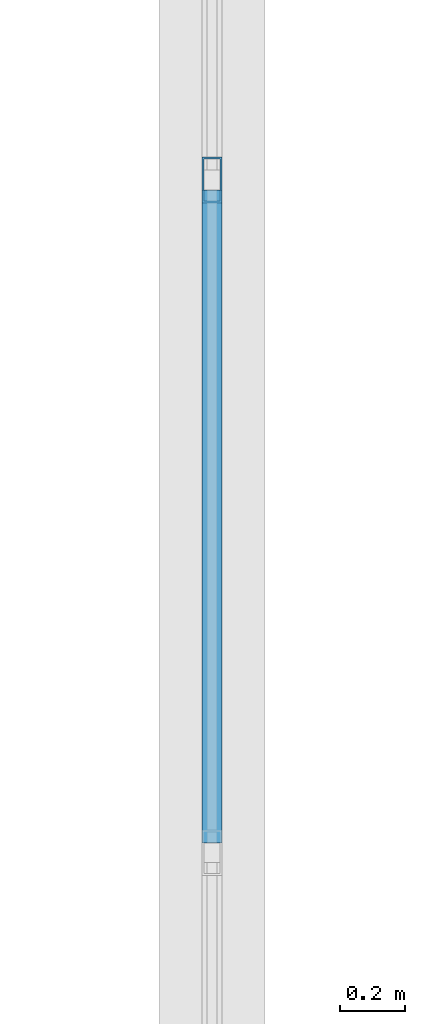
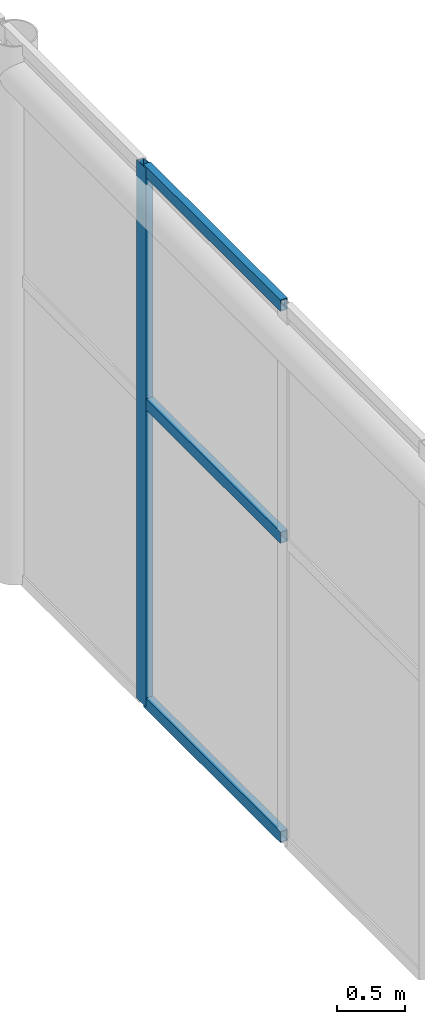
# One storey, part 98 of 167: 4 members, 1 element without a shape of its own.
"""IFC4 building model written with IfcOpenShell, lengths in metres."""

from ifc_helpers import new_model, si_unit, direction, frame, origin, origin_2d, place, context, subcontext, project, spatial, hollow_rectangle, extrude, material, material_profile, profile_set, type_object, element, aggregate, save


model = new_model("IFC4")

# Units and contexts
model_context = context("Model", 3, precision=1e-05, world=origin(), true_north=direction((0.0, 1.0)))
body_context = subcontext(model_context, "Body", "Model", "MODEL_VIEW")
ifc_project = project(units=[si_unit("LENGTHUNIT", "METRE"), si_unit("AREAUNIT", "SQUARE_METRE"), si_unit("VOLUMEUNIT", "CUBIC_METRE"), si_unit("PLANEANGLEUNIT", "RADIAN"), si_unit("MASSUNIT", "GRAM", prefix="KILO")], contexts=[model_context])

# Site, building, storey
site_placement = place(None, origin())
site = spatial("IfcSite", under=ifc_project, at=site_placement, CompositionType="ELEMENT")
building_placement = place(site_placement, origin())
building = spatial("IfcBuilding", under=site, at=building_placement, Name="Catenary Quay Ferry Terminal", CompositionType="ELEMENT")
storey_placement = place(building_placement, frame((0.0, 0.0, 6.0)))
storey = spatial("IfcBuildingStorey", under=building, at=storey_placement, Name="L01", CompositionType="ELEMENT", Elevation=6.0)

# Curtain wall, members
ifc_material_1 = material(Name="Aluminium and glass", Category="aluminium")
curtain_wall_type = type_object("IfcCurtainWallType", Name="CWG", PredefinedType="NOTDEFINED", material=ifc_material_1)
curtain_wall_placement = place(storey_placement, origin())
curtain_wall = element("IfcCurtainWall", 1, at=curtain_wall_placement, inside=storey, type_object=curtain_wall_type, Name="Gable departure hall curtain wall CW20", PredefinedType="NOTDEFINED")
ifc_material_2 = material(Name="Aluminium", Category="aluminium")
ifc_material_profile_1 = material_profile(ifc_material_2, hollow_rectangle(XDim=0.06005859375, YDim=0.139892578125, WallThickness=0.006103515625, at=origin_2d()), Name="MU2")
ifc_profile_set_1 = profile_set([ifc_material_profile_1], Name="Aluminium")
member_type_1 = type_object("IfcMemberType", Name="MU2", PredefinedType="MULLION", material=ifc_profile_set_1)
member_1_placement = place(storey_placement, frame((92.39990234375, 115.6875, 0.0), z_axis=(0.0, 0.0, 1.0), x_axis=(-1.0, 0.0, 0.0)))
member_1 = element("IfcMember", 2, at=member_1_placement, type_object=member_type_1, Name="CW20 mullion 4", PredefinedType="MULLION", context=body_context, shape_type="SweptSolid", body=[
    extrude(hollow_rectangle(XDim=0.06005859375, YDim=0.139892578125, WallThickness=0.006103515625, at=origin_2d()), origin(), (0.0, 0.0, 1.0), 4.800048828125),
])
ifc_material_3 = material(Name="Aluminium", Category="aluminium")
ifc_material_profile_2 = material_profile(ifc_material_3, hollow_rectangle(XDim=0.06005859375, YDim=0.10009765625, WallThickness=0.0048828125, at=origin_2d()), Name="TR2")
ifc_profile_set_2 = profile_set([ifc_material_profile_2], Name="Aluminium")
member_type_2 = type_object("IfcMemberType", Name="TR2", PredefinedType="USERDEFINED", material=ifc_profile_set_2)
member_2_placement = place(storey_placement, frame((92.39990234375, 113.655029296875, 0.030029296875), z_axis=(0.0, 1.0, 0.0), x_axis=(-1.0, 0.0, 0.0)))
member_2 = element("IfcMember", 3, at=member_2_placement, type_object=member_type_2, Name="CW20 transom 3.1", ObjectType="TRANSOM", PredefinedType="USERDEFINED", context=body_context, shape_type="SweptSolid", body=[
    extrude(hollow_rectangle(XDim=0.06005859375, YDim=0.10009765625, WallThickness=0.0048828125, at=origin_2d()), origin(), (0.0, 0.0, 1.0), 2.00244140625),
])
member_3_placement = place(storey_placement, frame((92.39990234375, 113.655029296875, 2.699951171875), z_axis=(0.0, 1.0, 0.0), x_axis=(-1.0, 0.0, 0.0)))
member_3 = element("IfcMember", 4, at=member_3_placement, type_object=member_type_2, Name="CW20 transom 3.2", ObjectType="TRANSOM", PredefinedType="USERDEFINED", context=body_context, shape_type="SweptSolid", body=[
    extrude(hollow_rectangle(XDim=0.06005859375, YDim=0.10009765625, WallThickness=0.0048828125, at=origin_2d()), origin(), (0.0, 0.0, 1.0), 2.00244140625),
])
member_4_placement = place(storey_placement, frame((92.39990234375, 113.655029296875, 4.77001953125), z_axis=(0.0, 1.0, 0.0), x_axis=(-1.0, 0.0, 0.0)))
member_4 = element("IfcMember", 5, at=member_4_placement, type_object=member_type_2, Name="CW20 transom 3.3", ObjectType="TRANSOM", PredefinedType="USERDEFINED", context=body_context, shape_type="SweptSolid", body=[
    extrude(hollow_rectangle(XDim=0.06005859375, YDim=0.10009765625, WallThickness=0.0048828125, at=origin_2d()), origin(), (0.0, 0.0, 1.0), 2.00244140625),
])
aggregate(curtain_wall, [member_1, member_2, member_3, member_4])

save(model, "model.ifc")
